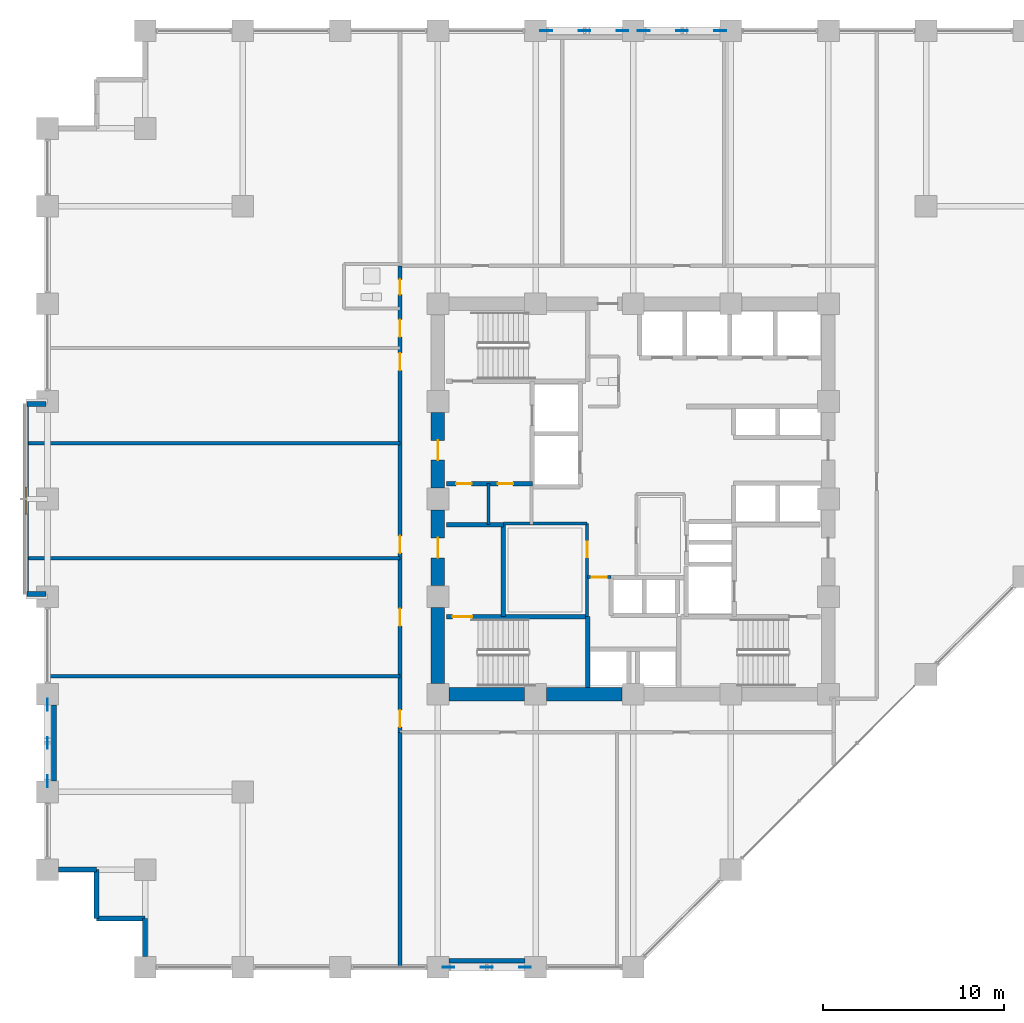
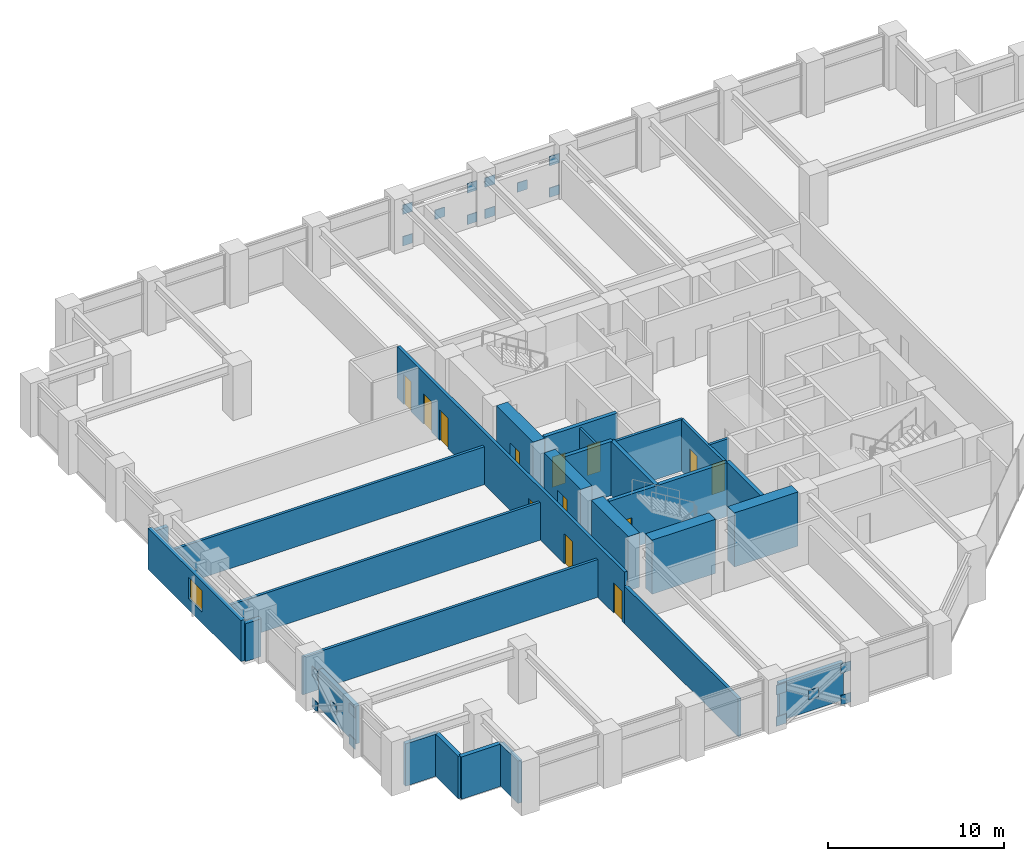
# One storey, part 20 of 27: 28 walls, 20 plates, 13 doors, 1 window, 14 openings.
"""IFC4 building model written with IfcOpenShell, lengths in metres."""

from ifc_helpers import new_model, si_unit, direction, frame, frame_2d, origin, origin_2d, place, context, subcontext, project, spatial, rectangle, extrude, material, layer, layer_set, type_object, element, fill, save


model = new_model("IFC4")

# Units and contexts
model_context = context("Model", 3, precision=1e-05, world=origin(), true_north=direction((0.0, 1.0)))
body_context = subcontext(model_context, "Body", "Model", "MODEL_VIEW")
ifc_project = project(units=[si_unit("LENGTHUNIT", "METRE"), si_unit("AREAUNIT", "SQUARE_METRE"), si_unit("VOLUMEUNIT", "CUBIC_METRE"), si_unit("PLANEANGLEUNIT", "RADIAN"), si_unit("MASSUNIT", "GRAM", prefix="KILO")], contexts=[model_context])

# Site, building, storey
site_placement = place(None, origin())
site = spatial("IfcSite", under=ifc_project, at=site_placement, CompositionType="ELEMENT")
building_placement = place(site_placement, origin())
building = spatial("IfcBuilding", under=site, at=building_placement, Name="Surkhivell Harbour Commons", CompositionType="ELEMENT")
storey_placement = place(building_placement, frame((0.0, 0.0, 56.25)))
storey = spatial("IfcBuildingStorey", under=building, at=storey_placement, Name="L14", CompositionType="ELEMENT", Elevation=56.25)

# Plates
ifc_material_1 = material(Name="Steel S460", Category="steel")
ifc_layer_1 = layer(ifc_material_1, 0.044921875)
ifc_layer_set_1 = layer_set([ifc_layer_1], Name="Steel S460")
plate_type = type_object("IfcPlateType", Name="PLT-GUS-650", PredefinedType="USERDEFINED", material=ifc_layer_set_1)
for number, where, z_axis, x_axis, name in (
    (1, (-4.81494140625, 25.89990234375, -0.08935546875), (0.0, 0.0, 1.0), (1.0, 0.0, 0.0), "L14 Perimeter Mega-Brace MB- Corner Gusset N-1"),
    (2, (-0.5849609375, 25.89990234375, -0.08935546875), (0.0, 0.0, 1.0), (1.0, 0.0, 0.0), "L14 Perimeter Mega-Brace MB- Corner Gusset N-2"),
    (3, (-4.81494140625, 25.89990234375, 2.094482421875), (0.0, 0.0, 1.0), (1.0, 0.0, 0.0), "L14 Perimeter Mega-Brace MB- Corner Gusset N-3"),
    (4, (-0.5849609375, 25.89990234375, 2.094482421875), (0.0, 0.0, 1.0), (1.0, 0.0, 0.0), "L14 Perimeter Mega-Brace MB- Corner Gusset N-4"),
    (5, (-2.699951171875, 25.89990234375, 1.00244140625), (0.0, 0.0, 1.0), (1.0, 0.0, 0.0), "L14 Perimeter Mega-Brace MB- Central Crossing Gusset N"),
    (6, (0.5849609375, 25.89990234375, -0.08935546875), (0.0, 0.0, 1.0), (1.0, 0.0, 0.0), "L14 Perimeter Mega-Brace MB- Corner Gusset N2-1"),
    (7, (4.81494140625, 25.89990234375, -0.08935546875), (0.0, 0.0, 1.0), (1.0, 0.0, 0.0), "L14 Perimeter Mega-Brace MB- Corner Gusset N2-2"),
    (8, (0.5849609375, 25.89990234375, 2.094482421875), (0.0, 0.0, 1.0), (1.0, 0.0, 0.0), "L14 Perimeter Mega-Brace MB- Corner Gusset N2-3"),
    (9, (4.81494140625, 25.89990234375, 2.094482421875), (0.0, 0.0, 1.0), (1.0, 0.0, 0.0), "L14 Perimeter Mega-Brace MB- Corner Gusset N2-4"),
    (10, (2.699951171875, 25.89990234375, 1.00244140625), (0.0, 0.0, 1.0), (1.0, 0.0, 0.0), "L14 Perimeter Mega-Brace MB- Central Crossing Gusset N2"),
    (11, (-10.215087890625, -25.89990234375, -0.08935546875), (0.0, 0.0, 1.0), (1.0, 0.0, 0.0), "L14 Perimeter Mega-Brace MB- Corner Gusset S-1"),
    (12, (-5.985107421875, -25.89990234375, -0.08935546875), (0.0, 0.0, 1.0), (1.0, 0.0, 0.0), "L14 Perimeter Mega-Brace MB- Corner Gusset S-2"),
    (13, (-10.215087890625, -25.89990234375, 2.094482421875), (0.0, 0.0, 1.0), (1.0, 0.0, 0.0), "L14 Perimeter Mega-Brace MB- Corner Gusset S-3"),
    (14, (-5.985107421875, -25.89990234375, 2.094482421875), (0.0, 0.0, 1.0), (1.0, 0.0, 0.0), "L14 Perimeter Mega-Brace MB- Corner Gusset S-4"),
    (15, (-8.10009765625, -25.89990234375, 1.00244140625), (0.0, 0.0, 1.0), (1.0, 0.0, 0.0), "L14 Perimeter Mega-Brace MB- Central Crossing Gusset S"),
    (16, (-32.39990234375, -15.614990234375, -0.08935546875), (0.0, 0.0, 1.0), (0.0, 1.0, 0.0), "L14 Perimeter Mega-Brace MB- Corner Gusset W-1"),
    (17, (-32.39990234375, -11.385009765625, -0.08935546875), (0.0, 0.0, 1.0), (0.0, 1.0, 0.0), "L14 Perimeter Mega-Brace MB- Corner Gusset W-2"),
    (18, (-32.39990234375, -15.614990234375, 2.094482421875), (0.0, 0.0, 1.0), (0.0, 1.0, 0.0), "L14 Perimeter Mega-Brace MB- Corner Gusset W-3"),
    (19, (-32.39990234375, -11.385009765625, 2.094482421875), (0.0, 0.0, 1.0), (0.0, 1.0, 0.0), "L14 Perimeter Mega-Brace MB- Corner Gusset W-4"),
    (20, (-32.39990234375, -13.5, 1.00244140625), (0.0, 0.0, 1.0), (0.0, 1.0, 0.0), "L14 Perimeter Mega-Brace MB- Central Crossing Gusset W"),
):
    element("IfcPlate", number, at=place(storey_placement, frame(where, z_axis=z_axis, x_axis=x_axis)), inside=storey, type_object=plate_type, Name=name, ObjectType="GUSSET_PLATE", PredefinedType="USERDEFINED", context=body_context, shape_type="SweptSolid", body=[
        extrude(rectangle(XDim=0.64990234375, YDim=0.044921875, at=origin_2d()), origin(), (0.0, 0.0, 1.0), 0.64990234375),
    ])

# Walls
ifc_material_2 = material(Name="Concrete C60/75", Category="concrete")
ifc_layer_2 = layer(ifc_material_2, 0.75)
ifc_layer_set_2 = layer_set([ifc_layer_2], Name="Concrete C60/75")
wall_type_1 = type_object("IfcWallType", Name="WAL-CORE-750", PredefinedType="SHEAR", material=ifc_layer_set_2)
for number, where, z_axis, x_axis, name in (
    (21, (-10.18994140625, -10.800048828125, 0.0), (0.0, 0.0, 1.0), (1.0, 0.0, 0.0), "L14 Core Shear Wall South 1"),
    (22, (-10.800048828125, -10.18994140625, 0.0), (0.0, 0.0, 1.0), (0.0, 1.0, 0.0), "L14 Core Shear Wall West 1"),
    (23, (-4.7900390625, -10.800048828125, 0.0), (0.0, 0.0, 1.0), (1.0, 0.0, 0.0), "L14 Core Shear Wall South 2"),
):
    element("IfcWall", number, at=place(storey_placement, frame(where, z_axis=z_axis, x_axis=x_axis)), inside=storey, type_object=wall_type_1, Name=name, PredefinedType="SHEAR", context=body_context, shape_type="SweptSolid", body=[
        extrude(rectangle(XDim=4.179931640625, YDim=0.75, at=frame_2d((2.08984375, 0.0))), origin(), (0.0, 0.0, 1.0), 3.75),
    ])

# Wall, opening, door
wall_1_placement = place(storey_placement, frame((-10.800048828125, -4.7900390625, 0.0), z_axis=(0.0, 0.0, 1.0), x_axis=(0.0, 1.0, 0.0)))
wall_1 = element("IfcWall", 24, at=wall_1_placement, inside=storey, type_object=wall_type_1, Name="L14 Core Shear Wall West 2", PredefinedType="SHEAR", context=body_context, shape_type="SweptSolid", body=[
    extrude(rectangle(XDim=4.179931640625, YDim=0.75, at=frame_2d((2.08984375, 0.0))), origin(), (0.0, 0.0, 1.0), 3.75),
])
opening_1_placement = place(wall_1_placement, frame((1.5400390625, 0.0, 0.0)))
opening_1 = element("IfcOpeningElement", 25, at=opening_1_placement, cuts=wall_1, Name="Opening ID-2", PredefinedType="OPENING", context=body_context, shape_type="SweptSolid", body=[
    extrude(rectangle(XDim=1.10009765625, YDim=2.10009765625, at=frame_2d((0.550048828125, 1.050048828125))), frame((0.0, 0.385009765625, 0.0), z_axis=(0.0, -1.0, 0.0), x_axis=(1.0, 0.0, 0.0)), (0.0, 0.0, 1.0), 0.77001953125),
])
ifc_material_3 = material(Name="Hardwood-veneered fire-rated door leaf", Category="wood")
door_type_1 = type_object("IfcDoorType", Name="DOR-FD60-1100", OperationType="NOTDEFINED", PredefinedType="DOOR", material=ifc_material_3)
door_1_placement = place(opening_1_placement, origin())
door_1 = element("IfcDoor", 26, at=door_1_placement, inside=storey, type_object=door_type_1, Name="L14 Stair 3 Lobby Corridor Door", OperationType="SINGLE_SWING_LEFT", OverallHeight=2.10009765625, OverallWidth=1.10009765625, PredefinedType="DOOR", context=body_context, shape_type="SweptSolid", body=[
    extrude(rectangle(XDim=1.10009765625, YDim=2.10009765625, at=frame_2d((0.550048828125, 1.050048828125))), frame((0.0, 0.02490234375, 0.0), z_axis=(0.0, -1.0, 0.0), x_axis=(1.0, 0.0, 0.0)), (0.0, 0.0, 1.0), 0.050048828125),
])
fill(opening_1, door_1)

wall_2_placement = place(storey_placement, frame((-10.800048828125, 0.610107421875, 0.0), z_axis=(0.0, 0.0, 1.0), x_axis=(0.0, 1.0, 0.0)))
wall_2 = element("IfcWall", 27, at=wall_2_placement, inside=storey, type_object=wall_type_1, Name="L14 Core Shear Wall West 3", PredefinedType="SHEAR", context=body_context, shape_type="SweptSolid", body=[
    extrude(rectangle(XDim=4.179931640625, YDim=0.75, at=frame_2d((2.08984375, 0.0))), origin(), (0.0, 0.0, 1.0), 3.75),
])
opening_2_placement = place(wall_2_placement, frame((1.5400390625, 0.0, 0.0)))
opening_2 = element("IfcOpeningElement", 28, at=opening_2_placement, cuts=wall_2, Name="Opening ID-1", PredefinedType="OPENING", context=body_context, shape_type="SweptSolid", body=[
    extrude(rectangle(XDim=1.10009765625, YDim=2.10009765625, at=frame_2d((0.550048828125, 1.050048828125))), frame((0.0, 0.385009765625, 0.0), z_axis=(0.0, -1.0, 0.0), x_axis=(1.0, 0.0, 0.0)), (0.0, 0.0, 1.0), 0.77001953125),
])
door_type_2 = type_object("IfcDoorType", Name="DOR-FD120-1100", OperationType="NOTDEFINED", PredefinedType="DOOR", material=ifc_material_3)
door_2_placement = place(opening_2_placement, origin())
door_2 = element("IfcDoor", 29, at=door_2_placement, inside=storey, type_object=door_type_2, Name="L14 Firefighting Lobby 1 Corridor Door", OperationType="SINGLE_SWING_LEFT", OverallHeight=2.10009765625, OverallWidth=1.10009765625, PredefinedType="DOOR", context=body_context, shape_type="SweptSolid", body=[
    extrude(rectangle(XDim=1.10009765625, YDim=2.10009765625, at=frame_2d((0.550048828125, 1.050048828125))), frame((0.0, 0.02490234375, 0.0), z_axis=(0.0, -1.0, 0.0), x_axis=(1.0, 0.0, 0.0)), (0.0, 0.0, 1.0), 0.050048828125),
])
fill(opening_2, door_2)

# Walls
ifc_material_4 = material(Name="Pale-metal insulated precast concrete C45/55", Category="concrete")
ifc_layer_3 = layer(ifc_material_4, 0.260009765625)
ifc_layer_set_3 = layer_set([ifc_layer_3], Name="Pale-metal insulated precast concrete C45/55")
wall_type_2 = type_object("IfcWallType", Name="WAL-EXT-MTL260", PredefinedType="STANDARD", material=ifc_layer_set_3)
wall_3_placement = place(storey_placement, frame((-10.201904296875, -25.5400390625, 0.0), z_axis=(0.0, 0.0, 1.0), x_axis=(1.0, 0.0, 0.0)))
element("IfcWall", 30, at=wall_3_placement, inside=storey, type_object=wall_type_2, Name="L14 Braced-Bay Insulated Spandrel Backing S", PredefinedType="STANDARD", context=body_context, shape_type="SweptSolid", body=[
    extrude(rectangle(XDim=4.203857421875, YDim=0.260009765625, at=frame_2d((2.10205078125, 0.0))), origin(), (0.0, 0.0, 1.0), 2.623046875),
])
wall_4_placement = place(storey_placement, frame((-32.0400390625, -15.60205078125, 0.0), z_axis=(0.0, 0.0, 1.0), x_axis=(0.0, 1.0, 0.0)))
element("IfcWall", 31, at=wall_4_placement, inside=storey, type_object=wall_type_2, Name="L14 Braced-Bay Insulated Spandrel Backing W", PredefinedType="STANDARD", context=body_context, shape_type="SweptSolid", body=[
    extrude(rectangle(XDim=4.2041015625, YDim=0.260009765625, at=frame_2d((2.10205078125, 0.0))), origin(), (0.0, 0.0, 1.0), 2.623046875),
])

# Wall, opening, window
ifc_material_5 = material(Name="Terracotta-clad reinforced concrete C45/55", Category="masonry")
ifc_layer_4 = layer(ifc_material_5, 0.280029296875)
ifc_layer_set_4 = layer_set([ifc_layer_4], Name="Terracotta-clad reinforced concrete C45/55")
wall_type_3 = type_object("IfcWallType", Name="WAL-EXT-TER280", PredefinedType="STANDARD", material=ifc_layer_set_4)
wall_5_placement = place(storey_placement, frame((-33.60009765625, 5.280029296875, 0.0), z_axis=(0.0, 0.0, 1.0), x_axis=(0.0, -1.0, 0.0)))
wall_5 = element("IfcWall", 32, at=wall_5_placement, inside=storey, type_object=wall_type_3, Name="L14 Coloured Box Front Wall 02", PredefinedType="STANDARD", context=body_context, shape_type="SweptSolid", body=[
    extrude(rectangle(XDim=10.56005859375, YDim=0.280029296875, at=frame_2d((5.280029296875, 0.0))), origin(), (0.0, 0.0, 1.0), 2.85693359375),
])
opening_3_placement = place(wall_5_placement, frame((4.6201171875, 0.0, 0.75)))
opening_3 = element("IfcOpeningElement", 33, at=opening_3_placement, cuts=wall_5, Name="Opening WN-13", PredefinedType="OPENING", context=body_context, shape_type="SweptSolid", body=[
    extrude(rectangle(XDim=1.5, YDim=1.5, at=frame_2d((0.75, 0.75))), frame((0.0, 0.14990234375, 0.0), z_axis=(0.0, -1.0, 0.0), x_axis=(1.0, 0.0, 0.0)), (0.0, 0.0, 1.0), 0.300048828125),
])
ifc_material_6 = material(Name="Thermal-break aluminium frame and double low-E glazing", Category="aluminium")
window_type = type_object("IfcWindowType", Name="WIN-BOX-1500x1500", PartitioningType="SINGLE_PANEL", PredefinedType="WINDOW", material=ifc_material_6)
window_placement = place(opening_3_placement, origin())
window = element("IfcWindow", 34, at=window_placement, inside=storey, type_object=window_type, Name="L14 Coloured Box Square Window 02-1", OverallHeight=1.5, OverallWidth=1.5, PartitioningType="SINGLE_PANEL", PredefinedType="WINDOW", context=body_context, shape_type="SweptSolid", body=[
    extrude(rectangle(XDim=1.5, YDim=1.5, at=frame_2d((0.75, 0.75))), frame((0.0, 0.030029296875, 0.0), z_axis=(0.0, -1.0, 0.0), x_axis=(1.0, 0.0, 0.0)), (0.0, 0.0, 1.0), 0.06005859375),
])
fill(opening_3, window)

# Walls
for number, where, z_axis, x_axis, name in (
    (35, (-33.52001953125, -5.260009765625, 0.0), (0.0, 0.0, 1.0), (1.0, 0.0, 0.0), "L14 Coloured Box Return Wall 02S"),
    (36, (-33.52001953125, 5.260009765625, 0.0), (0.0, 0.0, 1.0), (1.0, 0.0, 0.0), "L14 Coloured Box Return Wall 02N"),
):
    element("IfcWall", number, at=place(storey_placement, frame(where, z_axis=z_axis, x_axis=x_axis)), inside=storey, type_object=wall_type_3, Name=name, PredefinedType="STANDARD", context=body_context, shape_type="SweptSolid", body=[
        extrude(rectangle(XDim=1.0400390625, YDim=0.280029296875, at=frame_2d((0.52001953125, 0.0))), origin(), (0.0, 0.0, 1.0), 2.623046875),
    ])
wall_6_placement = place(storey_placement, frame((-31.802001953125, -20.5, 0.0), z_axis=(0.0, 0.0, 1.0), x_axis=(1.0, 0.0, 0.0)))
element("IfcWall", 37, at=wall_6_placement, inside=storey, type_object=wall_type_3, Name="L14 Serrated Corner Facade Wall 13", PredefinedType="STANDARD", context=body_context, shape_type="SweptSolid", body=[
    extrude(rectangle(XDim=2.10205078125, YDim=0.280029296875, at=frame_2d((1.051025390625, 0.0))), origin(), (0.0, 0.0, 1.0), 2.929931640625),
])
for number, where, z_axis, x_axis, name in (
    (38, (-29.699951171875, -20.5, 0.0), (0.0, 0.0, 1.0), (0.0, -1.0, 0.0), "L14 Serrated Corner Facade Wall 14"),
    (39, (-29.699951171875, -23.199951171875, 0.0), (0.0, 0.0, 1.0), (1.0, 0.0, 0.0), "L14 Serrated Corner Facade Wall 15"),
):
    element("IfcWall", number, at=place(storey_placement, frame(where, z_axis=z_axis, x_axis=x_axis)), inside=storey, type_object=wall_type_3, Name=name, PredefinedType="STANDARD", context=body_context, shape_type="SweptSolid", body=[
        extrude(rectangle(XDim=2.699951171875, YDim=0.280029296875, at=frame_2d((1.35009765625, 0.0))), origin(), (0.0, 0.0, 1.0), 2.929931640625),
    ])
wall_7_placement = place(storey_placement, frame((-27.0, -23.199951171875, 0.0), z_axis=(0.0, 0.0, 1.0), x_axis=(0.0, -1.0, 0.0)))
element("IfcWall", 40, at=wall_7_placement, inside=storey, type_object=wall_type_3, Name="L14 Serrated Corner Facade Wall 16", PredefinedType="STANDARD", context=body_context, shape_type="SweptSolid", body=[
    extrude(rectangle(XDim=2.10205078125, YDim=0.280029296875, at=frame_2d((1.051025390625, 0.0))), origin(), (0.0, 0.0, 1.0), 2.929931640625),
])
ifc_material_7 = material(Name="Twin-stud acoustic fireboard partition", Category="other")
ifc_layer_5 = layer(ifc_material_7, 0.14990234375)
ifc_layer_set_5 = layer_set([ifc_layer_5], Name="Twin-stud acoustic fireboard partition")
wall_type_4 = type_object("IfcWallType", Name="WAL-INT-150", PredefinedType="PARTITIONING", material=ifc_layer_set_5)
wall_8_placement = place(storey_placement, frame((-8.0, -1.419921875, 0.0), z_axis=(0.0, 0.0, 1.0), x_axis=(0.0, 1.0, 0.0)))
element("IfcWall", 41, at=wall_8_placement, inside=storey, type_object=wall_type_4, Name="L14 West Core Cut D1", PredefinedType="PARTITIONING", context=body_context, shape_type="SweptSolid", body=[
    extrude(rectangle(XDim=2.27001953125, YDim=0.14990234375, at=frame_2d((1.135009765625, 0.0))), origin(), (0.0, 0.0, 1.0), 3.570068359375),
])

# Wall, opening, door
ifc_material_8 = material(Name="High-density acoustic blockwork fire partition", Category="masonry")
ifc_layer_6 = layer(ifc_material_8, 0.175048828125)
ifc_layer_set_6 = layer_set([ifc_layer_6], Name="High-density acoustic blockwork fire partition")
wall_type_5 = type_object("IfcWallType", Name="WAL-INT-175", PredefinedType="PARTITIONING", material=ifc_layer_set_6)
wall_9_placement = place(storey_placement, frame((-2.550048828125, -6.510009765625, 0.0), z_axis=(0.0, 0.0, 1.0), x_axis=(0.0, 1.0, 0.0)))
wall_9 = element("IfcWall", 42, at=wall_9_placement, inside=storey, type_object=wall_type_5, Name="L14 Core Service Bay East Wall", PredefinedType="PARTITIONING", context=body_context, shape_type="SweptSolid", body=[
    extrude(rectangle(XDim=5.159912109375, YDim=0.175048828125, at=frame_2d((2.580078125, 0.0))), origin(), (0.0, 0.0, 1.0), 3.570068359375),
])
opening_4_placement = place(wall_9_placement, frame((3.300048828125, 0.0, 0.0)))
opening_4 = element("IfcOpeningElement", 43, at=opening_4_placement, cuts=wall_9, Name="Opening ID-6", PredefinedType="OPENING", context=body_context, shape_type="SweptSolid", body=[
    extrude(rectangle(XDim=0.85009765625, YDim=2.10009765625, at=frame_2d((0.425048828125, 1.050048828125))), frame((0.0, 0.097412109375, 0.0), z_axis=(0.0, -1.0, 0.0), x_axis=(1.0, 0.0, 0.0)), (0.0, 0.0, 1.0), 0.195068359375),
])
door_type_3 = type_object("IfcDoorType", Name="DOR-FD30-850", OperationType="NOTDEFINED", PredefinedType="DOOR", material=ifc_material_3)
door_3_placement = place(opening_4_placement, origin())
door_3 = element("IfcDoor", 44, at=door_3_placement, inside=storey, type_object=door_type_3, Name="L14 Core Quiet Reading Door", OperationType="SINGLE_SWING_RIGHT", OverallHeight=2.10009765625, OverallWidth=0.85009765625, PredefinedType="DOOR", context=body_context, shape_type="SweptSolid", body=[
    extrude(rectangle(XDim=0.85009765625, YDim=2.10009765625, at=frame_2d((0.425048828125, 1.050048828125))), frame((0.0, 0.02490234375, 0.0), z_axis=(0.0, -1.0, 0.0), x_axis=(1.0, 0.0, 0.0)), (0.0, 0.0, 1.0), 0.050048828125),
])
fill(opening_4, door_3)

# Wall
wall_10_placement = place(storey_placement, frame((-7.179931640625, -1.35009765625, 0.0), z_axis=(0.0, 0.0, 1.0), x_axis=(1.0, 0.0, 0.0)))
element("IfcWall", 45, at=wall_10_placement, inside=storey, type_object=wall_type_5, Name="L14 Core Service Bay North Wall", PredefinedType="PARTITIONING", context=body_context, shape_type="SweptSolid", body=[
    extrude(rectangle(XDim=4.6298828125, YDim=0.175048828125, at=frame_2d((2.31494140625, 0.0))), origin(), (0.0, 0.0, 1.0), 3.570068359375),
])

# Wall, opening, door
wall_11_placement = place(storey_placement, frame((-2.52001953125, -4.320068359375, 0.0), z_axis=(0.0, 0.0, 1.0), x_axis=(1.0, 0.0, 0.0)))
wall_11 = element("IfcWall", 46, at=wall_11_placement, inside=storey, type_object=wall_type_5, Name="L14 High-Rise Lobby North Portal Wall", PredefinedType="PARTITIONING", context=body_context, shape_type="SweptSolid", body=[
    extrude(rectangle(XDim=1.300048828125, YDim=0.175048828125, at=frame_2d((0.64990234375, 0.0))), origin(), (0.0, 0.0, 1.0), 3.570068359375),
])
opening_5_placement = place(wall_11_placement, frame((0.219970703125, 0.0, 0.0)))
opening_5 = element("IfcOpeningElement", 47, at=opening_5_placement, cuts=wall_11, Name="Opening ID-6", PredefinedType="OPENING", context=body_context, shape_type="SweptSolid", body=[
    extrude(rectangle(XDim=0.85009765625, YDim=2.10009765625, at=frame_2d((0.425048828125, 1.050048828125))), frame((0.0, 0.097412109375, 0.0), z_axis=(0.0, -1.0, 0.0), x_axis=(1.0, 0.0, 0.0)), (0.0, 0.0, 1.0), 0.195068359375),
])
door_4_placement = place(opening_5_placement, origin())
door_4 = element("IfcDoor", 48, at=door_4_placement, inside=storey, type_object=door_type_3, Name="L14 High-Rise Lift Lobby North Door", OperationType="SINGLE_SWING_LEFT", OverallHeight=2.10009765625, OverallWidth=0.85009765625, PredefinedType="DOOR", context=body_context, shape_type="SweptSolid", body=[
    extrude(rectangle(XDim=0.85009765625, YDim=2.10009765625, at=frame_2d((0.425048828125, 1.050048828125))), frame((0.0, 0.02490234375, 0.0), z_axis=(0.0, -1.0, 0.0), x_axis=(1.0, 0.0, 0.0)), (0.0, 0.0, 1.0), 0.050048828125),
])
fill(opening_5, door_4)

# Walls
for number, where, z_axis, x_axis, name in (
    (49, (-33.5400390625, -3.27001953125, 0.0), (0.0, 0.0, 1.0), (1.0, 0.0, 0.0), "L14 West Partition BDP1"),
    (50, (-33.5400390625, 3.090087890625, 0.0), (0.0, 0.0, 1.0), (1.0, 0.0, 0.0), "L14 West Partition BDP2"),
):
    element("IfcWall", number, at=place(storey_placement, frame(where, z_axis=z_axis, x_axis=x_axis)), inside=storey, type_object=wall_type_5, Name=name, PredefinedType="PARTITIONING", context=body_context, shape_type="SweptSolid", body=[
        extrude(rectangle(XDim=20.64013671875, YDim=0.175048828125, at=frame_2d((10.320068359375, 0.0))), origin(), (0.0, 0.0, 1.0), 2.623046875),
    ])
wall_12_placement = place(storey_placement, frame((-32.340087890625, -9.800048828125, 0.0), z_axis=(0.0, 0.0, 1.0), x_axis=(1.0, 0.0, 0.0)))
element("IfcWall", 51, at=wall_12_placement, inside=storey, type_object=wall_type_5, Name="L14 West Partition PBOT", PredefinedType="PARTITIONING", context=body_context, shape_type="SweptSolid", body=[
    extrude(rectangle(XDim=19.440185546875, YDim=0.175048828125, at=frame_2d((9.72021484375, 0.0))), origin(), (0.0, 0.0, 1.0), 2.623046875),
])
ifc_material_9 = material(Name="Autoclaved aerated concrete blockwork and fire plaster", Category="masonry")
ifc_layer_7 = layer(ifc_material_9, 0.199951171875)
ifc_layer_set_7 = layer_set([ifc_layer_7], Name="Autoclaved aerated concrete blockwork and fire plaster")
wall_type_6 = type_object("IfcWallType", Name="WAL-INT-200", PredefinedType="PARTITIONING", material=ifc_layer_set_7)
wall_13_placement = place(storey_placement, frame((-12.89990234375, -25.840087890625, 0.0), z_axis=(0.0, 0.0, 1.0), x_axis=(0.0, 1.0, 0.0)))
element("IfcWall", 52, at=wall_13_placement, inside=storey, type_object=wall_type_6, Name="L14 South-West Wing Corner Divider", PredefinedType="PARTITIONING", context=body_context, shape_type="SweptSolid", body=[
    extrude(rectangle(XDim=12.940185546875, YDim=0.199951171875, at=frame_2d((6.47021484375, 0.0))), origin(), (0.0, 0.0, 1.0), 2.623046875),
])

# Wall, openings, doors
wall_14_placement = place(storey_placement, frame((-12.89990234375, -12.89990234375, 0.0), z_axis=(0.0, 0.0, 1.0), x_axis=(0.0, 1.0, 0.0)))
wall_14 = element("IfcWall", 53, at=wall_14_placement, inside=storey, type_object=wall_type_6, Name="L14 Corridor West Wall", PredefinedType="PARTITIONING", context=body_context, shape_type="SweptSolid", body=[
    extrude(rectangle(XDim=25.7998046875, YDim=0.199951171875, at=frame_2d((12.89990234375, 0.0))), origin(), (0.0, 0.0, 1.0), 3.570068359375),
])
opening_6_placement = place(wall_14_placement, frame((0.280029296875, 0.0, 0.0)))
opening_6 = element("IfcOpeningElement", 54, at=opening_6_placement, cuts=wall_14, Name="Opening ID-4", PredefinedType="OPENING", context=body_context, shape_type="SweptSolid", body=[
    extrude(rectangle(XDim=0.949951171875, YDim=2.10009765625, at=frame_2d((0.47509765625, 1.050048828125))), frame((0.0, 0.10986328125, 0.0), z_axis=(0.0, -1.0, 0.0), x_axis=(1.0, 0.0, 0.0)), (0.0, 0.0, 1.0), 0.219970703125),
])
opening_7_placement = place(wall_14_placement, frame((24.205078125, 0.0, 0.0)))
opening_7 = element("IfcOpeningElement", 55, at=opening_7_placement, cuts=wall_14, Name="Opening ID-6", PredefinedType="OPENING", context=body_context, shape_type="SweptSolid", body=[
    extrude(rectangle(XDim=0.85009765625, YDim=2.10009765625, at=frame_2d((0.425048828125, 1.050048828125))), frame((0.0, 0.10986328125, 0.0), z_axis=(0.0, -1.0, 0.0), x_axis=(1.0, 0.0, 0.0)), (0.0, 0.0, 1.0), 0.219970703125),
])
opening_8_placement = place(wall_14_placement, frame((21.8701171875, 0.0, 0.0)))
opening_8 = element("IfcOpeningElement", 56, at=opening_8_placement, cuts=wall_14, Name="Opening ID-4", PredefinedType="OPENING", context=body_context, shape_type="SweptSolid", body=[
    extrude(rectangle(XDim=0.949951171875, YDim=2.10009765625, at=frame_2d((0.47509765625, 1.050048828125))), frame((0.0, 0.10986328125, 0.0), z_axis=(0.0, -1.0, 0.0), x_axis=(1.0, 0.0, 0.0)), (0.0, 0.0, 1.0), 0.219970703125),
])
opening_9_placement = place(wall_14_placement, frame((5.885009765625, 0.0, 0.0)))
opening_9 = element("IfcOpeningElement", 57, at=opening_9_placement, cuts=wall_14, Name="Opening ID-4", PredefinedType="OPENING", context=body_context, shape_type="SweptSolid", body=[
    extrude(rectangle(XDim=0.949951171875, YDim=2.10009765625, at=frame_2d((0.47509765625, 1.050048828125))), frame((0.0, 0.10986328125, 0.0), z_axis=(0.0, -1.0, 0.0), x_axis=(1.0, 0.0, 0.0)), (0.0, 0.0, 1.0), 0.219970703125),
])
opening_10_placement = place(wall_14_placement, frame((9.909912109375, 0.0, 0.0)))
opening_10 = element("IfcOpeningElement", 58, at=opening_10_placement, cuts=wall_14, Name="Opening ID-4", PredefinedType="OPENING", context=body_context, shape_type="SweptSolid", body=[
    extrude(rectangle(XDim=0.949951171875, YDim=2.10009765625, at=frame_2d((0.47509765625, 1.050048828125))), frame((0.0, 0.10986328125, 0.0), z_axis=(0.0, -1.0, 0.0), x_axis=(1.0, 0.0, 0.0)), (0.0, 0.0, 1.0), 0.219970703125),
])
opening_11_placement = place(wall_14_placement, frame((20.02001953125, 0.0, 0.0)))
opening_11 = element("IfcOpeningElement", 59, at=opening_11_placement, cuts=wall_14, Name="Opening ID-4", PredefinedType="OPENING", context=body_context, shape_type="SweptSolid", body=[
    extrude(rectangle(XDim=0.949951171875, YDim=2.10009765625, at=frame_2d((0.47509765625, 1.050048828125))), frame((0.0, 0.10986328125, 0.0), z_axis=(0.0, -1.0, 0.0), x_axis=(1.0, 0.0, 0.0)), (0.0, 0.0, 1.0), 0.219970703125),
])
door_5_placement = place(opening_7_placement, origin())
door_5 = element("IfcDoor", 60, at=door_5_placement, inside=storey, type_object=door_type_3, Name="L14 Communal Shower Bathroom West Door", OperationType="SINGLE_SWING_RIGHT", OverallHeight=2.10009765625, OverallWidth=0.85009765625, PredefinedType="DOOR", context=body_context, shape_type="SweptSolid", body=[
    extrude(rectangle(XDim=0.85009765625, YDim=2.10009765625, at=frame_2d((0.425048828125, 1.050048828125))), frame((0.0, 0.02490234375, 0.0), z_axis=(0.0, -1.0, 0.0), x_axis=(1.0, 0.0, 0.0)), (0.0, 0.0, 1.0), 0.050048828125),
])
fill(opening_7, door_5)
door_type_4 = type_object("IfcDoorType", Name="DOR-FD60-950", OperationType="NOTDEFINED", PredefinedType="DOOR", material=ifc_material_3)
door_6_placement = place(opening_6_placement, origin())
door_6 = element("IfcDoor", 61, at=door_6_placement, inside=storey, type_object=door_type_4, Name="L14 Shared Communal Kitchen West Door", OperationType="SINGLE_SWING_LEFT", OverallHeight=2.10009765625, OverallWidth=0.949951171875, PredefinedType="DOOR", context=body_context, shape_type="SweptSolid", body=[
    extrude(rectangle(XDim=0.949951171875, YDim=2.10009765625, at=frame_2d((0.47509765625, 1.050048828125))), frame((0.0, 0.02490234375, 0.0), z_axis=(0.0, -1.0, 0.0), x_axis=(1.0, 0.0, 0.0)), (0.0, 0.0, 1.0), 0.050048828125),
])
fill(opening_6, door_6)
door_7_placement = place(opening_8_placement, origin())
door_7 = element("IfcDoor", 62, at=door_7_placement, inside=storey, type_object=door_type_4, Name="L14 Academic Reading Commons West Door", OperationType="SINGLE_SWING_LEFT", OverallHeight=2.10009765625, OverallWidth=0.949951171875, PredefinedType="DOOR", context=body_context, shape_type="SweptSolid", body=[
    extrude(rectangle(XDim=0.949951171875, YDim=2.10009765625, at=frame_2d((0.47509765625, 1.050048828125))), frame((0.0, 0.02490234375, 0.0), z_axis=(0.0, -1.0, 0.0), x_axis=(1.0, 0.0, 0.0)), (0.0, 0.0, 1.0), 0.050048828125),
])
fill(opening_8, door_7)
door_8_placement = place(opening_9_placement, origin())
door_8 = element("IfcDoor", 63, at=door_8_placement, inside=storey, type_object=door_type_4, Name="L14 Hostel Cluster Bedroom 1 West Door", OperationType="SINGLE_SWING_RIGHT", OverallHeight=2.10009765625, OverallWidth=0.949951171875, PredefinedType="DOOR", context=body_context, shape_type="SweptSolid", body=[
    extrude(rectangle(XDim=0.949951171875, YDim=2.10009765625, at=frame_2d((0.47509765625, 1.050048828125))), frame((0.0, 0.02490234375, 0.0), z_axis=(0.0, -1.0, 0.0), x_axis=(1.0, 0.0, 0.0)), (0.0, 0.0, 1.0), 0.050048828125),
])
fill(opening_9, door_8)
door_9_placement = place(opening_10_placement, origin())
door_9 = element("IfcDoor", 64, at=door_9_placement, inside=storey, type_object=door_type_4, Name="L14 Co-Living Dormitory Bedroom 2 West Door", OperationType="SINGLE_SWING_LEFT", OverallHeight=2.10009765625, OverallWidth=0.949951171875, PredefinedType="DOOR", context=body_context, shape_type="SweptSolid", body=[
    extrude(rectangle(XDim=0.949951171875, YDim=2.10009765625, at=frame_2d((0.47509765625, 1.050048828125))), frame((0.0, 0.02490234375, 0.0), z_axis=(0.0, -1.0, 0.0), x_axis=(1.0, 0.0, 0.0)), (0.0, 0.0, 1.0), 0.050048828125),
])
fill(opening_10, door_9)
door_10_placement = place(opening_11_placement, origin())
door_10 = element("IfcDoor", 65, at=door_10_placement, inside=storey, type_object=door_type_4, Name="L14 Hostel Cluster Bedroom 3 West Door", OperationType="SINGLE_SWING_RIGHT", OverallHeight=2.10009765625, OverallWidth=0.949951171875, PredefinedType="DOOR", context=body_context, shape_type="SweptSolid", body=[
    extrude(rectangle(XDim=0.949951171875, YDim=2.10009765625, at=frame_2d((0.47509765625, 1.050048828125))), frame((0.0, 0.02490234375, 0.0), z_axis=(0.0, -1.0, 0.0), x_axis=(1.0, 0.0, 0.0)), (0.0, 0.0, 1.0), 0.050048828125),
])
fill(opening_11, door_10)

ifc_material_10 = material(Name="Concrete C50/60", Category="concrete")
ifc_layer_8 = layer(ifc_material_10, 0.25)
ifc_layer_set_8 = layer_set([ifc_layer_8], Name="Concrete C50/60")
wall_type_7 = type_object("IfcWallType", Name="WAL-SHAFT-250", PredefinedType="SHEAR", material=ifc_layer_set_8)
wall_15_placement = place(storey_placement, frame((-10.340087890625, 0.85009765625, 0.0), z_axis=(0.0, 0.0, 1.0), x_axis=(1.0, 0.0, 0.0)))
wall_15 = element("IfcWall", 66, at=wall_15_placement, inside=storey, type_object=wall_type_7, Name="L14 Firefighting Lobby 1 South Wall", PredefinedType="SHEAR", context=body_context, shape_type="SweptSolid", body=[
    extrude(rectangle(XDim=4.760009765625, YDim=0.25, at=frame_2d((2.3798828125, 0.0))), origin(), (0.0, 0.0, 1.0), 3.75),
])
opening_12_placement = place(wall_15_placement, frame((0.550048828125, 0.0, 0.0)))
opening_12 = element("IfcOpeningElement", 67, at=opening_12_placement, cuts=wall_15, Name="Opening ID-6", PredefinedType="OPENING", context=body_context, shape_type="SweptSolid", body=[
    extrude(rectangle(XDim=0.85009765625, YDim=2.10009765625, at=frame_2d((0.425048828125, 1.050048828125))), frame((0.0, 0.135009765625, 0.0), z_axis=(0.0, -1.0, 0.0), x_axis=(1.0, 0.0, 0.0)), (0.0, 0.0, 1.0), 0.27001953125),
])
opening_13_placement = place(wall_15_placement, frame((2.85009765625, 0.0, 0.0)))
opening_13 = element("IfcOpeningElement", 68, at=opening_13_placement, cuts=wall_15, Name="Opening ID-6", PredefinedType="OPENING", context=body_context, shape_type="SweptSolid", body=[
    extrude(rectangle(XDim=0.85009765625, YDim=2.10009765625, at=frame_2d((0.425048828125, 1.050048828125))), frame((0.0, 0.135009765625, 0.0), z_axis=(0.0, -1.0, 0.0), x_axis=(1.0, 0.0, 0.0)), (0.0, 0.0, 1.0), 0.27001953125),
])
door_11_placement = place(opening_12_placement, origin())
door_11 = element("IfcDoor", 69, at=door_11_placement, inside=storey, type_object=door_type_3, Name="L14 West Seminar Pod Door", OperationType="SINGLE_SWING_LEFT", OverallHeight=2.10009765625, OverallWidth=0.85009765625, PredefinedType="DOOR", context=body_context, shape_type="SweptSolid", body=[
    extrude(rectangle(XDim=0.85009765625, YDim=2.10009765625, at=frame_2d((0.425048828125, 1.050048828125))), frame((0.0, 0.02490234375, 0.0), z_axis=(0.0, -1.0, 0.0), x_axis=(1.0, 0.0, 0.0)), (0.0, 0.0, 1.0), 0.050048828125),
])
fill(opening_12, door_11)
door_12_placement = place(opening_13_placement, origin())
door_12 = element("IfcDoor", 70, at=door_12_placement, inside=storey, type_object=door_type_3, Name="L14 West Reading Pod Door", OperationType="SINGLE_SWING_RIGHT", OverallHeight=2.10009765625, OverallWidth=0.85009765625, PredefinedType="DOOR", context=body_context, shape_type="SweptSolid", body=[
    extrude(rectangle(XDim=0.85009765625, YDim=2.10009765625, at=frame_2d((0.425048828125, 1.050048828125))), frame((0.0, 0.02490234375, 0.0), z_axis=(0.0, -1.0, 0.0), x_axis=(1.0, 0.0, 0.0)), (0.0, 0.0, 1.0), 0.050048828125),
])
fill(opening_13, door_12)

# Walls
wall_16_placement = place(storey_placement, frame((-2.510009765625, -10.425048828125, 0.0), z_axis=(0.0, 0.0, 1.0), x_axis=(0.0, 1.0, 0.0)))
element("IfcWall", 71, at=wall_16_placement, inside=storey, type_object=wall_type_7, Name="L14 Stair ST3 East Shear Wall", PredefinedType="SHEAR", context=body_context, shape_type="SweptSolid", body=[
    extrude(rectangle(XDim=3.9150390625, YDim=0.25, at=frame_2d((1.95751953125, 0.0))), origin(), (0.0, 0.0, 1.0), 3.75),
])
wall_17_placement = place(storey_placement, frame((-7.179931640625, -6.510009765625, 0.0), z_axis=(0.0, 0.0, 1.0), x_axis=(0.0, 1.0, 0.0)))
element("IfcWall", 72, at=wall_17_placement, inside=storey, type_object=wall_type_7, Name="L14 Stair 3 Lobby East Wall", PredefinedType="SHEAR", context=body_context, shape_type="SweptSolid", body=[
    extrude(rectangle(XDim=5.090087890625, YDim=0.25, at=frame_2d((2.544921875, 0.0))), origin(), (0.0, 0.0, 1.0), 3.75),
])
wall_18_placement = place(storey_placement, frame((-10.340087890625, -1.419921875, 0.0), z_axis=(0.0, 0.0, 1.0), x_axis=(1.0, 0.0, 0.0)))
element("IfcWall", 73, at=wall_18_placement, inside=storey, type_object=wall_type_7, Name="L14 Stair 3 Lobby North Wall", PredefinedType="SHEAR", context=body_context, shape_type="SweptSolid", body=[
    extrude(rectangle(XDim=3.16015625, YDim=0.25, at=frame_2d((1.580078125, 0.0))), origin(), (0.0, 0.0, 1.0), 3.75),
])

# Wall, opening, door
wall_19_placement = place(storey_placement, frame((-10.340087890625, -6.510009765625, 0.0), z_axis=(0.0, 0.0, 1.0), x_axis=(1.0, 0.0, 0.0)))
wall_19 = element("IfcWall", 74, at=wall_19_placement, inside=storey, type_object=wall_type_7, Name="L14 Stair ST3 North Shear Wall", PredefinedType="SHEAR", context=body_context, shape_type="SweptSolid", body=[
    extrude(rectangle(XDim=7.7001953125, YDim=0.25, at=frame_2d((3.85009765625, 0.0))), origin(), (0.0, 0.0, 1.0), 3.75),
])
opening_14_placement = place(wall_19_placement, frame((0.35009765625, 0.0, 0.0)))
opening_14 = element("IfcOpeningElement", 75, at=opening_14_placement, cuts=wall_19, Name="Opening ID-2", PredefinedType="OPENING", context=body_context, shape_type="SweptSolid", body=[
    extrude(rectangle(XDim=1.10009765625, YDim=2.10009765625, at=frame_2d((0.550048828125, 1.050048828125))), frame((0.0, 0.135009765625, 0.0), z_axis=(0.0, -1.0, 0.0), x_axis=(1.0, 0.0, 0.0)), (0.0, 0.0, 1.0), 0.27001953125),
])
door_13_placement = place(opening_14_placement, origin())
door_13 = element("IfcDoor", 76, at=door_13_placement, inside=storey, type_object=door_type_1, Name="L14 Stair ST3 Exit Door", OperationType="SINGLE_SWING_RIGHT", OverallHeight=2.10009765625, OverallWidth=1.10009765625, PredefinedType="DOOR", context=body_context, shape_type="SweptSolid", body=[
    extrude(rectangle(XDim=1.10009765625, YDim=2.10009765625, at=frame_2d((0.550048828125, 1.050048828125))), frame((0.0, 0.02490234375, 0.0), z_axis=(0.0, -1.0, 0.0), x_axis=(1.0, 0.0, 0.0)), (0.0, 0.0, 1.0), 0.050048828125),
])
fill(opening_14, door_13)

save(model, "model.ifc")
